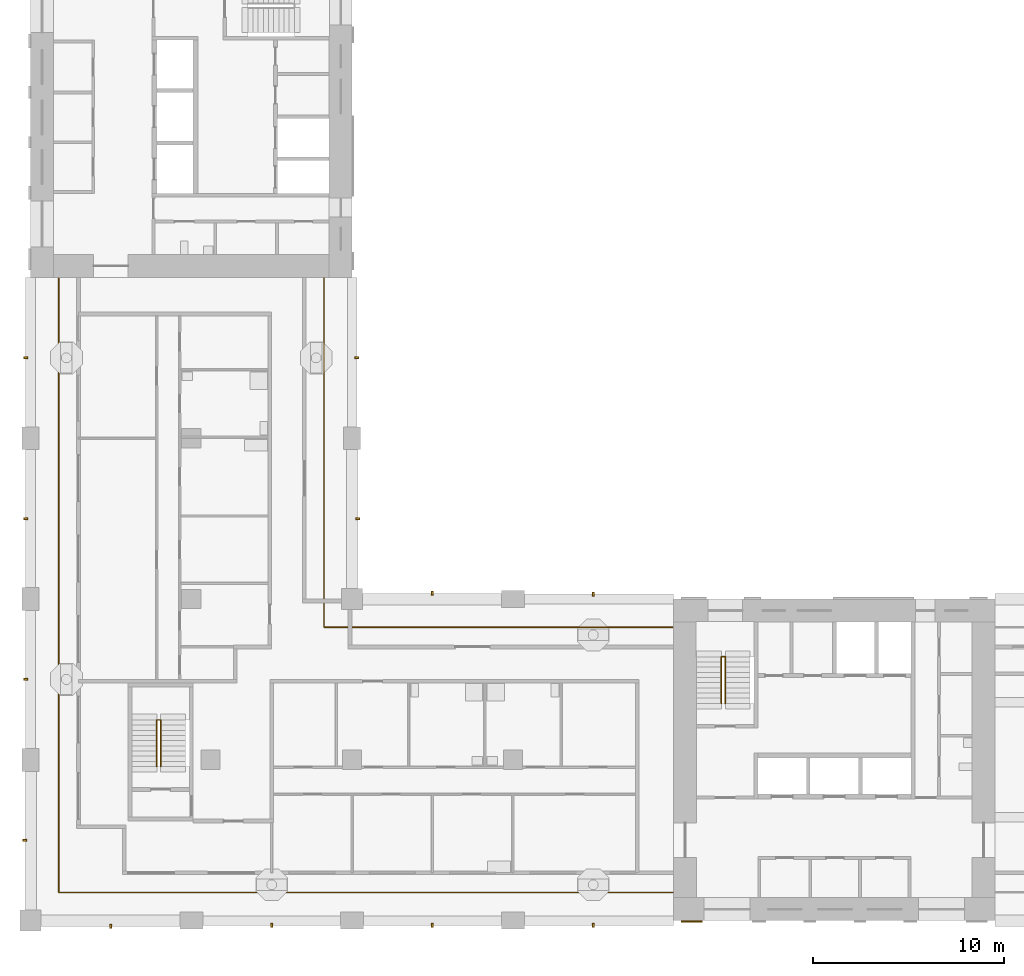
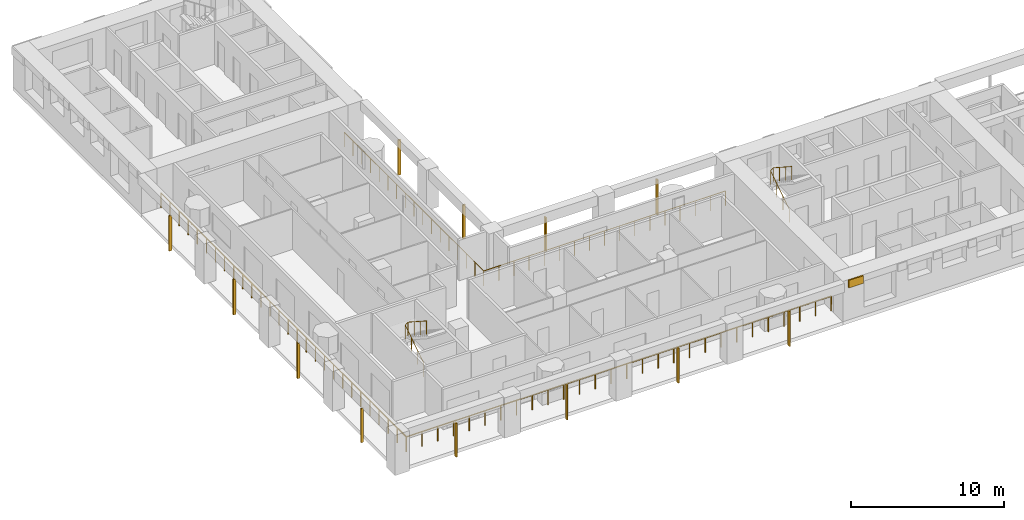
# One storey, part 8 of 13: 13 shading devices, 4 railings.
"""IFC4 building model written with IfcOpenShell, lengths in metres."""

from ifc_helpers import new_model, si_unit, direction, frame, origin, origin_2d, place, context, subcontext, project, spatial, rectangle, circle, extrude, material, layer, layer_set, material_profile, profile_set, type_object, element, save


model = new_model("IFC4")

# Units and contexts
model_context = context("Model", 3, precision=1e-05, world=origin(), true_north=direction((0.0, 1.0)))
body_context = subcontext(model_context, "Body", "Model", "MODEL_VIEW")
ifc_project = project(units=[si_unit("LENGTHUNIT", "METRE"), si_unit("AREAUNIT", "SQUARE_METRE"), si_unit("VOLUMEUNIT", "CUBIC_METRE"), si_unit("PLANEANGLEUNIT", "RADIAN"), si_unit("MASSUNIT", "GRAM", prefix="KILO")], contexts=[model_context])

# Site, building, storey
site_placement = place(None, origin())
site = spatial("IfcSite", under=ifc_project, at=site_placement, CompositionType="ELEMENT")
building_placement = place(site_placement, origin())
building = spatial("IfcBuilding", under=site, at=building_placement, Name="Vermilion Gate Residences", CompositionType="ELEMENT")
storey_placement = place(building_placement, frame((0.0, 0.0, 193.199951171875)))
storey = spatial("IfcBuildingStorey", under=building, at=storey_placement, Name="L50", CompositionType="ELEMENT", Elevation=193.199951171875)

# Railings
ifc_material_1 = material(Name="Stainless steel and toughened glass", Category="steel")
railing_type_1 = type_object("IfcRailingType", Name="LOGGIA GUARD STEEL AND GLASS 1200", PredefinedType="GUARDRAIL", material=ifc_material_1)
railing_1_placement = place(storey_placement, frame((41.97802734375, 23.72509765625, 0.0)))
element("IfcRailing", 1, at=railing_1_placement, inside=storey, type_object=railing_type_1, Name="Loggia guard", PredefinedType="GUARDRAIL", context=body_context, shape_type="SweptSolid", body=[
    extrude(circle(Radius=0.030029296875, at=origin_2d()), frame((0.0, 0.0, 1.169921875), z_axis=(-1.0, 0.0, 0.0), x_axis=(0.0, -1.0, 0.0)), (0.0, 0.0, 1.0), 18.2529296875),
    extrude(circle(Radius=0.030029296875, at=origin_2d()), frame((-18.2529296875, 0.0, 1.169921875), z_axis=(0.0, 1.0, 0.0), x_axis=(-1.0, 0.0, 0.0)), (0.0, 0.0, 1.0), 18.2529296875),
    extrude(circle(Radius=0.02490234375, at=origin_2d()), origin(), (0.0, 0.0, 1.0), 1.139892578125),
    extrude(circle(Radius=0.02490234375, at=origin_2d()), frame((-1.140869140625, 0.0, 0.0)), (0.0, 0.0, 1.0), 1.139892578125),
    extrude(circle(Radius=0.02490234375, at=origin_2d()), frame((-2.28173828125, 0.0, 0.0)), (0.0, 0.0, 1.0), 1.139892578125),
    extrude(circle(Radius=0.02490234375, at=origin_2d()), frame((-3.42236328125, 0.0, 0.0)), (0.0, 0.0, 1.0), 1.139892578125),
    extrude(circle(Radius=0.02490234375, at=origin_2d()), frame((-4.563232421875, 0.0, 0.0)), (0.0, 0.0, 1.0), 1.139892578125),
    extrude(circle(Radius=0.02490234375, at=origin_2d()), frame((-5.7041015625, 0.0, 0.0)), (0.0, 0.0, 1.0), 1.139892578125),
    extrude(circle(Radius=0.02490234375, at=origin_2d()), frame((-6.8447265625, 0.0, 0.0)), (0.0, 0.0, 1.0), 1.139892578125),
    extrude(circle(Radius=0.02490234375, at=origin_2d()), frame((-7.985595703125, 0.0, 0.0)), (0.0, 0.0, 1.0), 1.139892578125),
    extrude(circle(Radius=0.02490234375, at=origin_2d()), frame((-9.12646484375, 0.0, 0.0)), (0.0, 0.0, 1.0), 1.139892578125),
    extrude(circle(Radius=0.02490234375, at=origin_2d()), frame((-10.267333984375, 0.0, 0.0)), (0.0, 0.0, 1.0), 1.139892578125),
    extrude(circle(Radius=0.02490234375, at=origin_2d()), frame((-11.408203125, 0.0, 0.0)), (0.0, 0.0, 1.0), 1.139892578125),
    extrude(circle(Radius=0.02490234375, at=origin_2d()), frame((-12.548828125, 0.0, 0.0)), (0.0, 0.0, 1.0), 1.139892578125),
    extrude(circle(Radius=0.02490234375, at=origin_2d()), frame((-13.689697265625, 0.0, 0.0)), (0.0, 0.0, 1.0), 1.139892578125),
    extrude(circle(Radius=0.02490234375, at=origin_2d()), frame((-14.83056640625, 0.0, 0.0)), (0.0, 0.0, 1.0), 1.139892578125),
    extrude(circle(Radius=0.02490234375, at=origin_2d()), frame((-15.97119140625, 0.0, 0.0)), (0.0, 0.0, 1.0), 1.139892578125),
    extrude(circle(Radius=0.02490234375, at=origin_2d()), frame((-17.112060546875, 0.0, 0.0)), (0.0, 0.0, 1.0), 1.139892578125),
    extrude(circle(Radius=0.02490234375, at=origin_2d()), frame((-18.2529296875, 0.0, 0.0)), (0.0, 0.0, 1.0), 1.139892578125),
    extrude(circle(Radius=0.02490234375, at=origin_2d()), frame((-18.2529296875, 1.140869140625, 0.0)), (0.0, 0.0, 1.0), 1.139892578125),
    extrude(circle(Radius=0.02490234375, at=origin_2d()), frame((-18.2529296875, 2.28173828125, 0.0)), (0.0, 0.0, 1.0), 1.139892578125),
    extrude(circle(Radius=0.02490234375, at=origin_2d()), frame((-18.2529296875, 3.42236328125, 0.0)), (0.0, 0.0, 1.0), 1.139892578125),
    extrude(circle(Radius=0.02490234375, at=origin_2d()), frame((-18.2529296875, 4.563232421875, 0.0)), (0.0, 0.0, 1.0), 1.139892578125),
    extrude(circle(Radius=0.02490234375, at=origin_2d()), frame((-18.2529296875, 5.7041015625, 0.0)), (0.0, 0.0, 1.0), 1.139892578125),
    extrude(circle(Radius=0.02490234375, at=origin_2d()), frame((-18.2529296875, 6.8447265625, 0.0)), (0.0, 0.0, 1.0), 1.139892578125),
    extrude(circle(Radius=0.02490234375, at=origin_2d()), frame((-18.2529296875, 7.985595703125, 0.0)), (0.0, 0.0, 1.0), 1.139892578125),
    extrude(circle(Radius=0.02490234375, at=origin_2d()), frame((-18.2529296875, 9.12646484375, 0.0)), (0.0, 0.0, 1.0), 1.139892578125),
    extrude(circle(Radius=0.02490234375, at=origin_2d()), frame((-18.2529296875, 10.267333984375, 0.0)), (0.0, 0.0, 1.0), 1.139892578125),
    extrude(circle(Radius=0.02490234375, at=origin_2d()), frame((-18.2529296875, 11.408203125, 0.0)), (0.0, 0.0, 1.0), 1.139892578125),
    extrude(circle(Radius=0.02490234375, at=origin_2d()), frame((-18.2529296875, 12.548828125, 0.0)), (0.0, 0.0, 1.0), 1.139892578125),
    extrude(circle(Radius=0.02490234375, at=origin_2d()), frame((-18.2529296875, 13.689697265625, 0.0)), (0.0, 0.0, 1.0), 1.139892578125),
    extrude(circle(Radius=0.02490234375, at=origin_2d()), frame((-18.2529296875, 14.83056640625, 0.0)), (0.0, 0.0, 1.0), 1.139892578125),
    extrude(circle(Radius=0.02490234375, at=origin_2d()), frame((-18.2529296875, 15.97119140625, 0.0)), (0.0, 0.0, 1.0), 1.139892578125),
    extrude(circle(Radius=0.02490234375, at=origin_2d()), frame((-18.2529296875, 17.112060546875, 0.0)), (0.0, 0.0, 1.0), 1.139892578125),
    extrude(circle(Radius=0.02490234375, at=origin_2d()), frame((-18.2529296875, 18.2529296875, 0.0)), (0.0, 0.0, 1.0), 1.139892578125),
])
railing_2_placement = place(storey_placement, frame((9.875, 41.97802734375, 0.0)))
element("IfcRailing", 2, at=railing_2_placement, inside=storey, type_object=railing_type_1, Name="Loggia guard", PredefinedType="GUARDRAIL", context=body_context, shape_type="SweptSolid", body=[
    extrude(circle(Radius=0.030029296875, at=origin_2d()), frame((0.0, 0.0, 1.169921875), z_axis=(0.0, -1.0, 0.0), x_axis=(1.0, 0.0, 0.0)), (0.0, 0.0, 1.0), 32.10302734375),
    extrude(circle(Radius=0.030029296875, at=origin_2d()), frame((0.0, -32.10302734375, 1.169921875), z_axis=(1.0, 0.0, 0.0), x_axis=(0.0, 1.0, 0.0)), (0.0, 0.0, 1.0), 32.10302734375),
    extrude(circle(Radius=0.02490234375, at=origin_2d()), origin(), (0.0, 0.0, 1.0), 1.139892578125),
    extrude(circle(Radius=0.02490234375, at=origin_2d()), frame((0.0, -1.18896484375, 0.0)), (0.0, 0.0, 1.0), 1.139892578125),
    extrude(circle(Radius=0.02490234375, at=origin_2d()), frame((0.0, -2.3779296875, 0.0)), (0.0, 0.0, 1.0), 1.139892578125),
    extrude(circle(Radius=0.02490234375, at=origin_2d()), frame((0.0, -3.56689453125, 0.0)), (0.0, 0.0, 1.0), 1.139892578125),
    extrude(circle(Radius=0.02490234375, at=origin_2d()), frame((0.0, -4.756103515625, 0.0)), (0.0, 0.0, 1.0), 1.139892578125),
    extrude(circle(Radius=0.02490234375, at=origin_2d()), frame((0.0, -5.945068359375, 0.0)), (0.0, 0.0, 1.0), 1.139892578125),
    extrude(circle(Radius=0.02490234375, at=origin_2d()), frame((0.0, -7.134033203125, 0.0)), (0.0, 0.0, 1.0), 1.139892578125),
    extrude(circle(Radius=0.02490234375, at=origin_2d()), frame((0.0, -8.322998046875, 0.0)), (0.0, 0.0, 1.0), 1.139892578125),
    extrude(circle(Radius=0.02490234375, at=origin_2d()), frame((0.0, -9.511962890625, 0.0)), (0.0, 0.0, 1.0), 1.139892578125),
    extrude(circle(Radius=0.02490234375, at=origin_2d()), frame((0.0, -10.700927734375, 0.0)), (0.0, 0.0, 1.0), 1.139892578125),
    extrude(circle(Radius=0.02490234375, at=origin_2d()), frame((0.0, -11.889892578125, 0.0)), (0.0, 0.0, 1.0), 1.139892578125),
    extrude(circle(Radius=0.02490234375, at=origin_2d()), frame((0.0, -13.0791015625, 0.0)), (0.0, 0.0, 1.0), 1.139892578125),
    extrude(circle(Radius=0.02490234375, at=origin_2d()), frame((0.0, -14.26806640625, 0.0)), (0.0, 0.0, 1.0), 1.139892578125),
    extrude(circle(Radius=0.02490234375, at=origin_2d()), frame((0.0, -15.45703125, 0.0)), (0.0, 0.0, 1.0), 1.139892578125),
    extrude(circle(Radius=0.02490234375, at=origin_2d()), frame((0.0, -16.64599609375, 0.0)), (0.0, 0.0, 1.0), 1.139892578125),
    extrude(circle(Radius=0.02490234375, at=origin_2d()), frame((0.0, -17.8349609375, 0.0)), (0.0, 0.0, 1.0), 1.139892578125),
    extrude(circle(Radius=0.02490234375, at=origin_2d()), frame((0.0, -19.02392578125, 0.0)), (0.0, 0.0, 1.0), 1.139892578125),
    extrude(circle(Radius=0.02490234375, at=origin_2d()), frame((0.0, -20.213134765625, 0.0)), (0.0, 0.0, 1.0), 1.139892578125),
    extrude(circle(Radius=0.02490234375, at=origin_2d()), frame((0.0, -21.402099609375, 0.0)), (0.0, 0.0, 1.0), 1.139892578125),
    extrude(circle(Radius=0.02490234375, at=origin_2d()), frame((0.0, -22.591064453125, 0.0)), (0.0, 0.0, 1.0), 1.139892578125),
    extrude(circle(Radius=0.02490234375, at=origin_2d()), frame((0.0, -23.780029296875, 0.0)), (0.0, 0.0, 1.0), 1.139892578125),
    extrude(circle(Radius=0.02490234375, at=origin_2d()), frame((0.0, -24.968994140625, 0.0)), (0.0, 0.0, 1.0), 1.139892578125),
    extrude(circle(Radius=0.02490234375, at=origin_2d()), frame((0.0, -26.157958984375, 0.0)), (0.0, 0.0, 1.0), 1.139892578125),
    extrude(circle(Radius=0.02490234375, at=origin_2d()), frame((0.0, -27.346923828125, 0.0)), (0.0, 0.0, 1.0), 1.139892578125),
    extrude(circle(Radius=0.02490234375, at=origin_2d()), frame((0.0, -28.5361328125, 0.0)), (0.0, 0.0, 1.0), 1.139892578125),
    extrude(circle(Radius=0.02490234375, at=origin_2d()), frame((0.0, -29.72509765625, 0.0)), (0.0, 0.0, 1.0), 1.139892578125),
    extrude(circle(Radius=0.02490234375, at=origin_2d()), frame((0.0, -30.9140625, 0.0)), (0.0, 0.0, 1.0), 1.139892578125),
    extrude(circle(Radius=0.02490234375, at=origin_2d()), frame((0.0, -32.10302734375, 0.0)), (0.0, 0.0, 1.0), 1.139892578125),
    extrude(circle(Radius=0.02490234375, at=origin_2d()), frame((1.18896484375, -32.10302734375, 0.0)), (0.0, 0.0, 1.0), 1.139892578125),
    extrude(circle(Radius=0.02490234375, at=origin_2d()), frame((2.3779296875, -32.10302734375, 0.0)), (0.0, 0.0, 1.0), 1.139892578125),
    extrude(circle(Radius=0.02490234375, at=origin_2d()), frame((3.56689453125, -32.10302734375, 0.0)), (0.0, 0.0, 1.0), 1.139892578125),
    extrude(circle(Radius=0.02490234375, at=origin_2d()), frame((4.756103515625, -32.10302734375, 0.0)), (0.0, 0.0, 1.0), 1.139892578125),
    extrude(circle(Radius=0.02490234375, at=origin_2d()), frame((5.945068359375, -32.10302734375, 0.0)), (0.0, 0.0, 1.0), 1.139892578125),
    extrude(circle(Radius=0.02490234375, at=origin_2d()), frame((7.134033203125, -32.10302734375, 0.0)), (0.0, 0.0, 1.0), 1.139892578125),
    extrude(circle(Radius=0.02490234375, at=origin_2d()), frame((8.322998046875, -32.10302734375, 0.0)), (0.0, 0.0, 1.0), 1.139892578125),
    extrude(circle(Radius=0.02490234375, at=origin_2d()), frame((9.511962890625, -32.10302734375, 0.0)), (0.0, 0.0, 1.0), 1.139892578125),
    extrude(circle(Radius=0.02490234375, at=origin_2d()), frame((10.700927734375, -32.10302734375, 0.0)), (0.0, 0.0, 1.0), 1.139892578125),
    extrude(circle(Radius=0.02490234375, at=origin_2d()), frame((11.889892578125, -32.10302734375, 0.0)), (0.0, 0.0, 1.0), 1.139892578125),
    extrude(circle(Radius=0.02490234375, at=origin_2d()), frame((13.0791015625, -32.10302734375, 0.0)), (0.0, 0.0, 1.0), 1.139892578125),
    extrude(circle(Radius=0.02490234375, at=origin_2d()), frame((14.26806640625, -32.10302734375, 0.0)), (0.0, 0.0, 1.0), 1.139892578125),
    extrude(circle(Radius=0.02490234375, at=origin_2d()), frame((15.45703125, -32.10302734375, 0.0)), (0.0, 0.0, 1.0), 1.139892578125),
    extrude(circle(Radius=0.02490234375, at=origin_2d()), frame((16.64599609375, -32.10302734375, 0.0)), (0.0, 0.0, 1.0), 1.139892578125),
    extrude(circle(Radius=0.02490234375, at=origin_2d()), frame((17.8349609375, -32.10302734375, 0.0)), (0.0, 0.0, 1.0), 1.139892578125),
    extrude(circle(Radius=0.02490234375, at=origin_2d()), frame((19.02392578125, -32.10302734375, 0.0)), (0.0, 0.0, 1.0), 1.139892578125),
    extrude(circle(Radius=0.02490234375, at=origin_2d()), frame((20.213134765625, -32.10302734375, 0.0)), (0.0, 0.0, 1.0), 1.139892578125),
    extrude(circle(Radius=0.02490234375, at=origin_2d()), frame((21.402099609375, -32.10302734375, 0.0)), (0.0, 0.0, 1.0), 1.139892578125),
    extrude(circle(Radius=0.02490234375, at=origin_2d()), frame((22.591064453125, -32.10302734375, 0.0)), (0.0, 0.0, 1.0), 1.139892578125),
    extrude(circle(Radius=0.02490234375, at=origin_2d()), frame((23.780029296875, -32.10302734375, 0.0)), (0.0, 0.0, 1.0), 1.139892578125),
    extrude(circle(Radius=0.02490234375, at=origin_2d()), frame((24.968994140625, -32.10302734375, 0.0)), (0.0, 0.0, 1.0), 1.139892578125),
    extrude(circle(Radius=0.02490234375, at=origin_2d()), frame((26.157958984375, -32.10302734375, 0.0)), (0.0, 0.0, 1.0), 1.139892578125),
    extrude(circle(Radius=0.02490234375, at=origin_2d()), frame((27.346923828125, -32.10302734375, 0.0)), (0.0, 0.0, 1.0), 1.139892578125),
    extrude(circle(Radius=0.02490234375, at=origin_2d()), frame((28.5361328125, -32.10302734375, 0.0)), (0.0, 0.0, 1.0), 1.139892578125),
    extrude(circle(Radius=0.02490234375, at=origin_2d()), frame((29.72509765625, -32.10302734375, 0.0)), (0.0, 0.0, 1.0), 1.139892578125),
    extrude(circle(Radius=0.02490234375, at=origin_2d()), frame((30.9140625, -32.10302734375, 0.0)), (0.0, 0.0, 1.0), 1.139892578125),
    extrude(circle(Radius=0.02490234375, at=origin_2d()), frame((32.10302734375, -32.10302734375, 0.0)), (0.0, 0.0, 1.0), 1.139892578125),
])
ifc_material_2 = material(Name="Steel S355", Category="steel")
railing_type_2 = type_object("IfcRailingType", Name="STAIR GUARD 1100 STEEL", PredefinedType="GUARDRAIL", material=ifc_material_2)
for number, where, name in (
    (3, (44.5, 19.75, 0.175048828125), "Stair well guard STA1-50"),
    (4, (15.0, 16.449951171875, 0.175048828125), "Stair well guard STC1-50"),
):
    element("IfcRailing", number, at=place(storey_placement, frame(where)), inside=storey, type_object=railing_type_2, Name=name, PredefinedType="GUARDRAIL", context=body_context, shape_type="SweptSolid", body=[
        extrude(circle(Radius=0.02392578125, at=origin_2d()), frame((0.0, 0.0, 1.076171875), z_axis=(0.0, 0.839153699163, 0.543894354798), x_axis=(-1.0, 0.0, 0.0)), (0.0, 0.0, 1.0), 2.895751953125),
        extrude(circle(Radius=0.02392578125, at=origin_2d()), frame((0.0, 2.429931640625, 2.65087890625), z_axis=(0.752405939678, 0.0, 0.658699705433), x_axis=(0.0, 1.0, 0.0)), (0.0, 0.0, 1.0), 0.265869140625),
        extrude(circle(Radius=0.02392578125, at=origin_2d()), frame((0.199951171875, 2.429931640625, 2.826171875), z_axis=(0.0, -0.839153699163, 0.543894354798), x_axis=(1.0, 0.0, 0.0)), (0.0, 0.0, 1.0), 2.895751953125),
        extrude(circle(Radius=0.02099609375, at=origin_2d()), origin(), (0.0, 0.0, 1.0), 1.052001953125),
        extrude(circle(Radius=0.02099609375, at=origin_2d()), frame((0.0, 0.81005859375, 0.52490234375)), (0.0, 0.0, 1.0), 1.052001953125),
        extrude(circle(Radius=0.02099609375, at=origin_2d()), frame((0.0, 1.619873046875, 1.050048828125)), (0.0, 0.0, 1.0), 1.052001953125),
        extrude(circle(Radius=0.02099609375, at=origin_2d()), frame((0.0, 2.429931640625, 1.574951171875)), (0.0, 0.0, 1.0), 1.052001953125),
        extrude(circle(Radius=0.02099609375, at=origin_2d()), frame((0.199951171875, 2.429931640625, 1.75)), (0.0, 0.0, 1.0), 1.052001953125),
        extrude(circle(Radius=0.02099609375, at=origin_2d()), frame((0.199951171875, 1.619873046875, 2.27490234375)), (0.0, 0.0, 1.0), 1.052001953125),
        extrude(circle(Radius=0.02099609375, at=origin_2d()), frame((0.199951171875, 0.81005859375, 2.800048828125)), (0.0, 0.0, 1.0), 1.052001953125),
        extrude(circle(Radius=0.02099609375, at=origin_2d()), frame((0.199951171875, 0.0, 3.324951171875)), (0.0, 0.0, 1.0), 1.052001953125),
    ])

# Shading devices
ifc_material_3 = material(Name="Extruded terracotta", Category="masonry")
ifc_material_profile = material_profile(ifc_material_3, rectangle(XDim=0.199951171875, YDim=0.10009765625, at=origin_2d()), Name="BAGUETTE 100 X 200")
ifc_profile_set = profile_set([ifc_material_profile], Name="Extruded terracotta")
shading_device_type_1 = type_object("IfcShadingDeviceType", Name="TERRACOTTA BAGUETTE 100 X 200", PredefinedType="JALOUSIE", material=ifc_profile_set)
shading_device_1_placement = place(storey_placement, frame((12.60009765625, 8.10009765625, -0.280029296875), z_axis=(0.0, 0.0, 1.0), x_axis=(0.0, 1.0, 0.0)))
element("IfcShadingDevice", 5, at=shading_device_1_placement, inside=storey, type_object=shading_device_type_1, Name="BAGUETTE", PredefinedType="JALOUSIE", context=body_context, shape_type="SweptSolid", body=[
    extrude(rectangle(XDim=0.199951171875, YDim=0.10009765625, at=origin_2d()), origin(), (0.0, 0.0, 1.0), 2.7001953125),
])
for number, where, z_axis, x_axis, name in (
    (6, (21.0, 8.14990234375, -0.280029296875), (0.0, 0.0, 1.0), (0.0, 1.0, 0.0), "BAGUETTE"),
    (7, (29.39990234375, 8.14990234375, -0.280029296875), (0.0, 0.0, 1.0), (0.0, 1.0, 0.0), "BAGUETTE"),
    (8, (37.800048828125, 8.14990234375, -0.280029296875), (0.0, 0.0, 1.0), (0.0, 1.0, 0.0), "BAGUETTE"),
):
    element("IfcShadingDevice", number, at=place(storey_placement, frame(where, z_axis=z_axis, x_axis=x_axis)), inside=storey, type_object=shading_device_type_1, Name=name, PredefinedType="JALOUSIE", context=body_context, shape_type="SweptSolid", body=[
        extrude(rectangle(XDim=0.199951171875, YDim=0.10009765625, at=origin_2d()), origin(), (0.0, 0.0, 1.0), 2.800048828125),
    ])
shading_device_2_placement = place(storey_placement, frame((29.39990234375, 25.5, -0.280029296875), z_axis=(0.0, 0.0, 1.0), x_axis=(0.0, -1.0, 0.0)))
element("IfcShadingDevice", 9, at=shading_device_2_placement, inside=storey, type_object=shading_device_type_1, Name="BAGUETTE", PredefinedType="JALOUSIE", context=body_context, shape_type="SweptSolid", body=[
    extrude(rectangle(XDim=0.199951171875, YDim=0.10009765625, at=origin_2d()), origin(), (0.0, 0.0, 1.0), 2.7001953125),
])
shading_device_3_placement = place(storey_placement, frame((37.800048828125, 25.449951171875, -0.280029296875), z_axis=(0.0, 0.0, 1.0), x_axis=(0.0, -1.0, 0.0)))
element("IfcShadingDevice", 10, at=shading_device_3_placement, inside=storey, type_object=shading_device_type_1, Name="BAGUETTE", PredefinedType="JALOUSIE", context=body_context, shape_type="SweptSolid", body=[
    extrude(rectangle(XDim=0.199951171875, YDim=0.10009765625, at=origin_2d()), origin(), (0.0, 0.0, 1.0), 2.800048828125),
])
shading_device_4_placement = place(storey_placement, frame((25.5, 29.39990234375, -0.280029296875), z_axis=(0.0, 0.0, 1.0), x_axis=(-1.0, 0.0, 0.0)))
element("IfcShadingDevice", 11, at=shading_device_4_placement, inside=storey, type_object=shading_device_type_1, Name="BAGUETTE", PredefinedType="JALOUSIE", context=body_context, shape_type="SweptSolid", body=[
    extrude(rectangle(XDim=0.199951171875, YDim=0.10009765625, at=origin_2d()), origin(), (0.0, 0.0, 1.0), 2.7001953125),
])
shading_device_5_placement = place(storey_placement, frame((25.449951171875, 37.800048828125, -0.280029296875), z_axis=(0.0, 0.0, 1.0), x_axis=(-1.0, 0.0, 0.0)))
element("IfcShadingDevice", 12, at=shading_device_5_placement, inside=storey, type_object=shading_device_type_1, Name="BAGUETTE", PredefinedType="JALOUSIE", context=body_context, shape_type="SweptSolid", body=[
    extrude(rectangle(XDim=0.199951171875, YDim=0.10009765625, at=origin_2d()), origin(), (0.0, 0.0, 1.0), 2.800048828125),
])
shading_device_6_placement = place(storey_placement, frame((8.10009765625, 12.60009765625, -0.280029296875), z_axis=(0.0, 0.0, 1.0), x_axis=(1.0, 0.0, 0.0)))
element("IfcShadingDevice", 13, at=shading_device_6_placement, inside=storey, type_object=shading_device_type_1, Name="BAGUETTE", PredefinedType="JALOUSIE", context=body_context, shape_type="SweptSolid", body=[
    extrude(rectangle(XDim=0.199951171875, YDim=0.10009765625, at=origin_2d()), origin(), (0.0, 0.0, 1.0), 2.7001953125),
])
for number, where, z_axis, x_axis, name in (
    (14, (8.14990234375, 21.0, -0.280029296875), (0.0, 0.0, 1.0), (1.0, 0.0, 0.0), "BAGUETTE"),
    (15, (8.14990234375, 29.39990234375, -0.280029296875), (0.0, 0.0, 1.0), (1.0, 0.0, 0.0), "BAGUETTE"),
    (16, (8.14990234375, 37.800048828125, -0.280029296875), (0.0, 0.0, 1.0), (1.0, 0.0, 0.0), "BAGUETTE"),
):
    element("IfcShadingDevice", number, at=place(storey_placement, frame(where, z_axis=z_axis, x_axis=x_axis)), inside=storey, type_object=shading_device_type_1, Name=name, PredefinedType="JALOUSIE", context=body_context, shape_type="SweptSolid", body=[
        extrude(rectangle(XDim=0.199951171875, YDim=0.10009765625, at=origin_2d()), origin(), (0.0, 0.0, 1.0), 2.800048828125),
    ])
ifc_material_4 = material(Name="Extruded terracotta", Category="masonry")
ifc_layer = layer(ifc_material_4, 0.10009765625)
ifc_layer_set = layer_set([ifc_layer], Name="TERRACOTTA SPANDREL BAND 600 X 100")
shading_device_type_2 = type_object("IfcShadingDeviceType", Name="TERRACOTTA SPANDREL BAND 600 X 100", PredefinedType="USERDEFINED", material=ifc_layer_set)
shading_device_7_placement = place(storey_placement, frame((42.949951171875, 8.35009765625, 2.6201171875), z_axis=(0.0, 0.0, 1.0), x_axis=(1.0, 0.0, 0.0)))
element("IfcShadingDevice", 17, at=shading_device_7_placement, inside=storey, type_object=shading_device_type_2, Name="SPANDREL BAND", ObjectType="BAND", PredefinedType="USERDEFINED", context=body_context, shape_type="SweptSolid", body=[
    extrude(rectangle(XDim=1.10009765625, YDim=0.10009765625, at=origin_2d()), origin(), (0.0, 0.0, 1.0), 0.60009765625),
])

save(model, "model.ifc")
